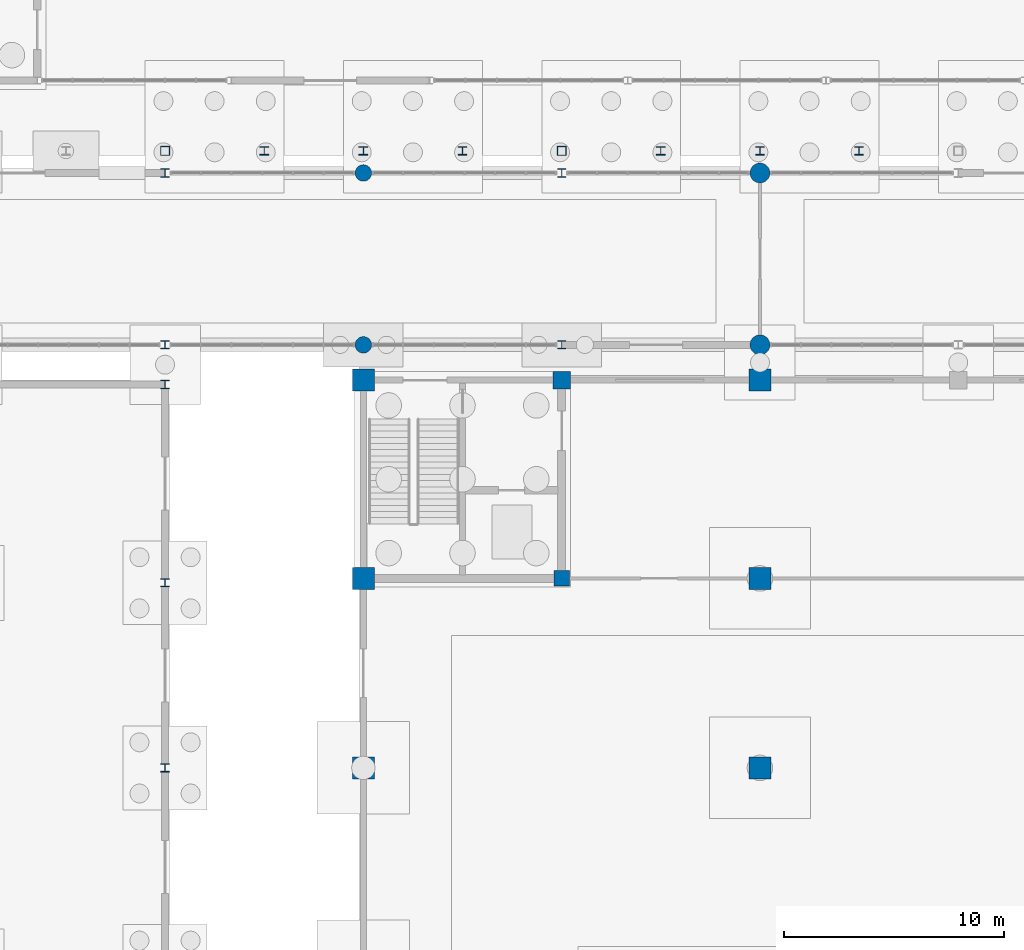
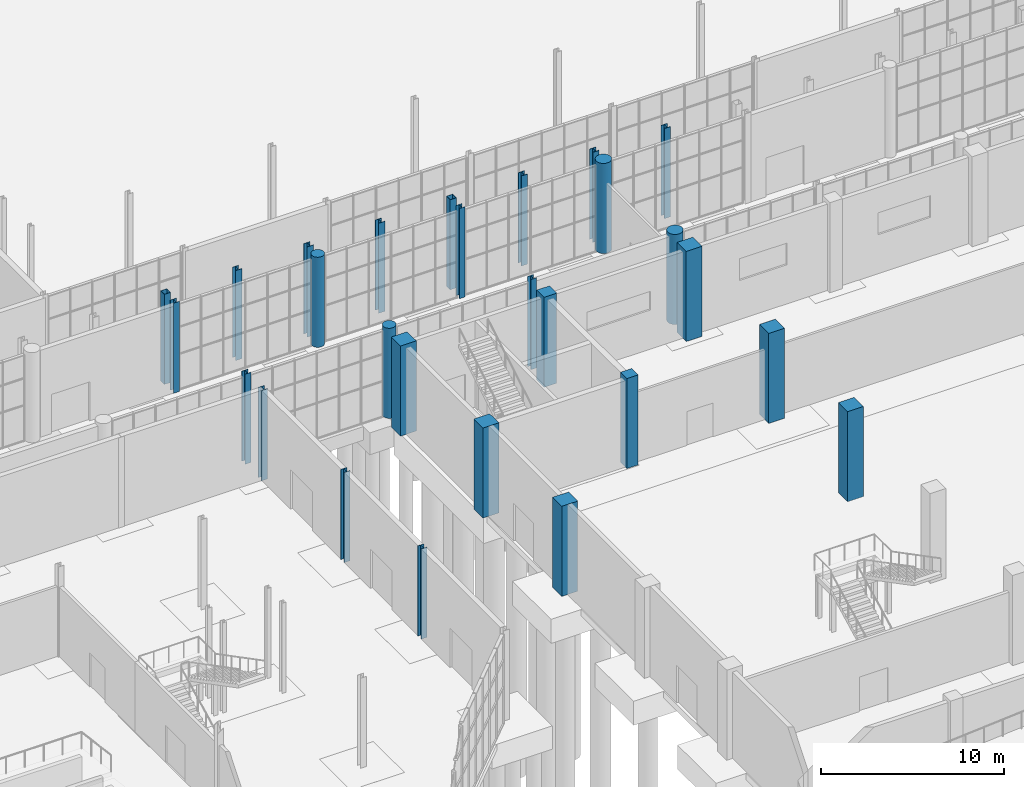
# One storey, part 15 of 131: 27 columns.
"""IFC4 building model written with IfcOpenShell, lengths in metres."""

from ifc_helpers import new_model, si_unit, direction, frame, origin, origin_2d, place, context, subcontext, project, spatial, rectangle, hollow_rectangle, circle, i_section, extrude, material, material_profile, profile_set, type_object, element, save


model = new_model("IFC4")

# Units and contexts
model_context = context("Model", 3, precision=1e-05, world=origin(), true_north=direction((0.0, 1.0)))
body_context = subcontext(model_context, "Body", "Model", "MODEL_VIEW")
ifc_project = project(units=[si_unit("LENGTHUNIT", "METRE"), si_unit("AREAUNIT", "SQUARE_METRE"), si_unit("VOLUMEUNIT", "CUBIC_METRE"), si_unit("PLANEANGLEUNIT", "RADIAN"), si_unit("MASSUNIT", "GRAM", prefix="KILO")], contexts=[model_context])

# Site, building, storey
site_placement = place(None, origin())
site = spatial("IfcSite", under=ifc_project, at=site_placement, CompositionType="ELEMENT")
building_placement = place(site_placement, origin())
building = spatial("IfcBuilding", under=site, at=building_placement, Name="Cazmaro Siding Exhibition Halls", CompositionType="ELEMENT")
storey_placement = place(building_placement, origin())
storey = spatial("IfcBuildingStorey", under=building, at=storey_placement, Name="L00", CompositionType="ELEMENT", Elevation=0.0)

# Columns
ifc_material_1 = material(Name="Steel ASTM A992 Grade 50", Category="steel")
ifc_material_profile_1 = material_profile(ifc_material_1, i_section(OverallWidth=0.39208984375, OverallDepth=0.3759765625, WebThickness=0.01708984375, FlangeThickness=0.028076171875, at=origin_2d()), Name="W14X145")
ifc_profile_set_1 = profile_set([ifc_material_profile_1], Name="Steel ASTM A992 Grade 50")
column_type_1 = type_object("IfcColumnType", Name="C-03", PredefinedType="COLUMN", material=ifc_profile_set_1)
for number, where, z_axis, x_axis, name in (
    (1, (67.5, 64.0, 0.0), (0.0, 0.0, 1.0), (1.0, 0.0, 0.0), "Column C-03 COL-0031"),
    (2, (76.5, 64.0, 0.0), (0.0, 0.0, 1.0), (1.0, 0.0, 0.0), "Column C-03 COL-0043"),
    (3, (85.5, 64.0, 0.0), (0.0, 0.0, 1.0), (1.0, 0.0, 0.0), "Column C-03 COL-0055"),
    (4, (94.5, 64.0, 0.0), (0.0, 0.0, 1.0), (1.0, 0.0, 0.0), "Column C-03 COL-0067"),
):
    element("IfcColumn", number, at=place(storey_placement, frame(where, z_axis=z_axis, x_axis=x_axis)), inside=storey, type_object=column_type_1, Name=name, PredefinedType="COLUMN", context=body_context, shape_type="SweptSolid", body=[
        extrude(i_section(OverallWidth=0.39208984375, OverallDepth=0.3759765625, WebThickness=0.01708984375, FlangeThickness=0.028076171875, at=origin_2d()), origin(), (0.0, 0.0, 1.0), 6.0),
    ])
ifc_material_2 = material(Name="Steel ASTM A992 Grade 50", Category="steel")
ifc_material_profile_2 = material_profile(ifc_material_2, i_section(OverallWidth=0.373046875, OverallDepth=0.373046875, WebThickness=0.01611328125, FlangeThickness=0.02587890625, at=origin_2d()), Name="W14X132")
ifc_profile_set_2 = profile_set([ifc_material_profile_2], Name="Steel ASTM A992 Grade 50")
column_type_2 = type_object("IfcColumnType", Name="C-04", PredefinedType="COLUMN", material=ifc_profile_set_2)
for number, where, z_axis, x_axis, name in (
    (5, (63.0, 36.0, 0.0), (0.0, 0.0, 1.0), (1.0, 0.0, 0.0), "Column C-04 COL-0817"),
    (6, (63.0, 44.39990234375, 0.0), (0.0, 0.0, 1.0), (1.0, 0.0, 0.0), "Column C-04 COL-0820"),
    (7, (63.0, 53.39990234375, 0.0), (0.0, 0.0, 1.0), (1.0, 0.0, 0.0), "Column C-04 COL-0823"),
):
    element("IfcColumn", number, at=place(storey_placement, frame(where, z_axis=z_axis, x_axis=x_axis)), inside=storey, type_object=column_type_2, Name=name, PredefinedType="COLUMN", context=body_context, shape_type="SweptSolid", body=[
        extrude(i_section(OverallWidth=0.373046875, OverallDepth=0.373046875, WebThickness=0.01611328125, FlangeThickness=0.02587890625, at=origin_2d()), origin(), (0.0, 0.0, 1.0), 6.0),
    ])
ifc_material_3 = material(Name="Concrete f'c 45 MPa", Category="concrete")
ifc_material_profile_3 = material_profile(ifc_material_3, rectangle(XDim=1.0, YDim=1.0, at=origin_2d()), Name="RC1000X1000")
ifc_profile_set_3 = profile_set([ifc_material_profile_3], Name="Concrete f'c 45 MPa")
column_type_3 = type_object("IfcColumnType", Name="C-07", PredefinedType="COLUMN", material=ifc_profile_set_3)
for number, where, z_axis, x_axis, name in (
    (8, (72.0, 36.0, 0.0), (0.0, 0.0, 1.0), (1.0, 0.0, 0.0), "Column C-07 COL-0463"),
    (9, (72.0, 44.60009765625, 0.0), (0.0, 0.0, 1.0), (1.0, 0.0, 0.0), "Column C-07 COL-0465"),
    (10, (72.0, 53.60009765625, 0.0), (0.0, 0.0, 1.0), (1.0, 0.0, 0.0), "Column C-07 COL-0467"),
    (11, (90.0, 36.0, 0.0), (0.0, 0.0, 1.0), (1.0, 0.0, 0.0), "Column C-07 COL-0475"),
    (12, (90.0, 44.60009765625, 0.0), (0.0, 0.0, 1.0), (1.0, 0.0, 0.0), "Column C-07 COL-0477"),
    (13, (90.0, 53.60009765625, 0.0), (0.0, 0.0, 1.0), (1.0, 0.0, 0.0), "Column C-07 COL-0479"),
):
    element("IfcColumn", number, at=place(storey_placement, frame(where, z_axis=z_axis, x_axis=x_axis)), inside=storey, type_object=column_type_3, Name=name, PredefinedType="COLUMN", context=body_context, shape_type="SweptSolid", body=[
        extrude(rectangle(XDim=1.0, YDim=1.0, at=origin_2d()), origin(), (0.0, 0.0, 1.0), 6.0),
    ])
ifc_material_4 = material(Name="Concrete f'c 45 MPa", Category="concrete")
ifc_material_profile_4 = material_profile(ifc_material_4, rectangle(XDim=0.800048828125, YDim=0.800048828125, at=origin_2d()), Name="RC800X800")
ifc_profile_set_4 = profile_set([ifc_material_profile_4], Name="Concrete f'c 45 MPa")
column_type_4 = type_object("IfcColumnType", Name="C-08", PredefinedType="COLUMN", material=ifc_profile_set_4)
column_1_placement = place(storey_placement, frame((81.0, 53.60009765625, 0.0), z_axis=(0.0, 0.0, 1.0), x_axis=(1.0, 0.0, 0.0)))
element("IfcColumn", 14, at=column_1_placement, inside=storey, type_object=column_type_4, Name="Column C-08 COL-0573", PredefinedType="COLUMN", context=body_context, shape_type="SweptSolid", body=[
    extrude(rectangle(XDim=0.800048828125, YDim=0.800048828125, at=origin_2d()), origin(), (0.0, 0.0, 1.0), 6.0),
])
ifc_material_5 = material(Name="Concrete f'c 45 MPa", Category="concrete")
ifc_material_profile_5 = material_profile(ifc_material_5, circle(Radius=0.449951171875, at=origin_2d()), Name="RC900DIA")
ifc_profile_set_5 = profile_set([ifc_material_profile_5], Name="Concrete f'c 45 MPa")
column_type_5 = type_object("IfcColumnType", Name="C-09", PredefinedType="COLUMN", material=ifc_profile_set_5)
for number, where, z_axis, x_axis, name in (
    (15, (90.0, 55.199951171875, 0.0), (0.0, 0.0, 1.0), (1.0, 0.0, 0.0), "Column C-09 COL-0741"),
    (16, (90.0, 63.0, 0.0), (0.0, 0.0, 1.0), (1.0, 0.0, 0.0), "Column C-09 COL-0744"),
):
    element("IfcColumn", number, at=place(storey_placement, frame(where, z_axis=z_axis, x_axis=x_axis)), inside=storey, type_object=column_type_5, Name=name, PredefinedType="COLUMN", context=body_context, shape_type="SweptSolid", body=[
        extrude(circle(Radius=0.449951171875, at=origin_2d()), origin(), (0.0, 0.0, 1.0), 6.0),
    ])
ifc_material_6 = material(Name="Steel ASTM A992 Grade 50", Category="steel")
ifc_material_profile_6 = material_profile(ifc_material_6, i_section(OverallWidth=0.39892578125, OverallDepth=0.386962890625, WebThickness=0.02099609375, FlangeThickness=0.032958984375, at=origin_2d()), Name="W14X176")
ifc_profile_set_6 = profile_set([ifc_material_profile_6], Name="Steel ASTM A992 Grade 50")
column_type_6 = type_object("IfcColumnType", Name="C-11", PredefinedType="COLUMN", material=ifc_profile_set_6)
for number, where, z_axis, x_axis, name in (
    (17, (72.0, 64.0, 0.0), (0.0, 0.0, 1.0), (1.0, 0.0, 0.0), "Column C-11 COL-0037"),
    (18, (90.0, 64.0, 0.0), (0.0, 0.0, 1.0), (1.0, 0.0, 0.0), "Column C-11 COL-0061"),
):
    element("IfcColumn", number, at=place(storey_placement, frame(where, z_axis=z_axis, x_axis=x_axis)), inside=storey, type_object=column_type_6, Name=name, PredefinedType="COLUMN", context=body_context, shape_type="SweptSolid", body=[
        extrude(i_section(OverallWidth=0.39892578125, OverallDepth=0.386962890625, WebThickness=0.02099609375, FlangeThickness=0.032958984375, at=origin_2d()), origin(), (0.0, 0.0, 1.0), 6.0),
    ])
ifc_material_7 = material(Name="Steel ASTM A992 Grade 50", Category="steel")
ifc_material_profile_7 = material_profile(ifc_material_7, i_section(OverallWidth=0.37109375, OverallDepth=0.364013671875, WebThickness=0.012939453125, FlangeThickness=0.02197265625, at=origin_2d()), Name="W14X109")
ifc_profile_set_7 = profile_set([ifc_material_profile_7], Name="Steel ASTM A992 Grade 50")
column_type_7 = type_object("IfcColumnType", Name="C-12", PredefinedType="COLUMN", material=ifc_profile_set_7)
for number, where, z_axis, x_axis, name in (
    (19, (63.0, 55.199951171875, 0.0), (0.0, 0.0, 1.0), (1.0, 0.0, 0.0), "Column C-12 COL-0723"),
    (20, (63.0, 63.0, 0.0), (0.0, 0.0, 1.0), (1.0, 0.0, 0.0), "Column C-12 COL-0726"),
    (21, (81.0, 55.199951171875, 0.0), (0.0, 0.0, 1.0), (1.0, 0.0, 0.0), "Column C-12 COL-0735"),
    (22, (81.0, 63.0, 0.0), (0.0, 0.0, 1.0), (1.0, 0.0, 0.0), "Column C-12 COL-0738"),
):
    element("IfcColumn", number, at=place(storey_placement, frame(where, z_axis=z_axis, x_axis=x_axis)), inside=storey, type_object=column_type_7, Name=name, PredefinedType="COLUMN", context=body_context, shape_type="SweptSolid", body=[
        extrude(i_section(OverallWidth=0.37109375, OverallDepth=0.364013671875, WebThickness=0.012939453125, FlangeThickness=0.02197265625, at=origin_2d()), origin(), (0.0, 0.0, 1.0), 6.0),
    ])
ifc_material_8 = material(Name="Concrete f'c 45 MPa", Category="concrete")
ifc_material_profile_8 = material_profile(ifc_material_8, rectangle(XDim=0.699951171875, YDim=0.699951171875, at=origin_2d()), Name="RC700X700")
ifc_profile_set_8 = profile_set([ifc_material_profile_8], Name="Concrete f'c 45 MPa")
column_type_8 = type_object("IfcColumnType", Name="C-15", PredefinedType="COLUMN", material=ifc_profile_set_8)
column_2_placement = place(storey_placement, frame((81.0, 44.60009765625, 0.0), z_axis=(0.0, 0.0, 1.0), x_axis=(1.0, 0.0, 0.0)))
element("IfcColumn", 23, at=column_2_placement, inside=storey, type_object=column_type_8, Name="Column C-15 COL-0657", PredefinedType="COLUMN", context=body_context, shape_type="SweptSolid", body=[
    extrude(rectangle(XDim=0.699951171875, YDim=0.699951171875, at=origin_2d()), origin(), (0.0, 0.0, 1.0), 6.0),
])
ifc_material_9 = material(Name="Steel ASTM A500 Grade C", Category="steel")
ifc_material_profile_9 = material_profile(ifc_material_9, hollow_rectangle(XDim=0.406005859375, YDim=0.406005859375, WallThickness=0.014892578125, at=origin_2d()), Name="HSS16X16X5/8")
ifc_profile_set_9 = profile_set([ifc_material_profile_9], Name="Steel ASTM A500 Grade C")
column_type_9 = type_object("IfcColumnType", Name="PL-01", PredefinedType="PILASTER", material=ifc_profile_set_9)
for number, where, z_axis, x_axis, name in (
    (24, (63.0, 64.0, 0.0), (0.0, 0.0, 1.0), (1.0, 0.0, 0.0), "Column PL-01 COL-0025"),
    (25, (81.0, 64.0, 0.0), (0.0, 0.0, 1.0), (1.0, 0.0, 0.0), "Column PL-01 COL-0049"),
):
    element("IfcColumn", number, at=place(storey_placement, frame(where, z_axis=z_axis, x_axis=x_axis)), inside=storey, type_object=column_type_9, Name=name, PredefinedType="PILASTER", context=body_context, shape_type="SweptSolid", body=[
        extrude(hollow_rectangle(XDim=0.406005859375, YDim=0.406005859375, WallThickness=0.014892578125, at=origin_2d()), origin(), (0.0, 0.0, 1.0), 6.0),
    ])
ifc_material_10 = material(Name="Concrete f'c 45 MPa", Category="concrete")
ifc_material_profile_10 = material_profile(ifc_material_10, circle(Radius=0.375, at=origin_2d()), Name="RC750DIA")
ifc_profile_set_10 = profile_set([ifc_material_profile_10], Name="Concrete f'c 45 MPa")
column_type_10 = type_object("IfcColumnType", Name="PL-03", PredefinedType="PILASTER", material=ifc_profile_set_10)
for number, where, z_axis, x_axis, name in (
    (26, (72.0, 55.199951171875, 0.0), (0.0, 0.0, 1.0), (1.0, 0.0, 0.0), "Column PL-03 COL-0729"),
    (27, (72.0, 63.0, 0.0), (0.0, 0.0, 1.0), (1.0, 0.0, 0.0), "Column PL-03 COL-0732"),
):
    element("IfcColumn", number, at=place(storey_placement, frame(where, z_axis=z_axis, x_axis=x_axis)), inside=storey, type_object=column_type_10, Name=name, PredefinedType="PILASTER", context=body_context, shape_type="SweptSolid", body=[
        extrude(circle(Radius=0.375, at=origin_2d()), origin(), (0.0, 0.0, 1.0), 6.0),
    ])

save(model, "model.ifc")
